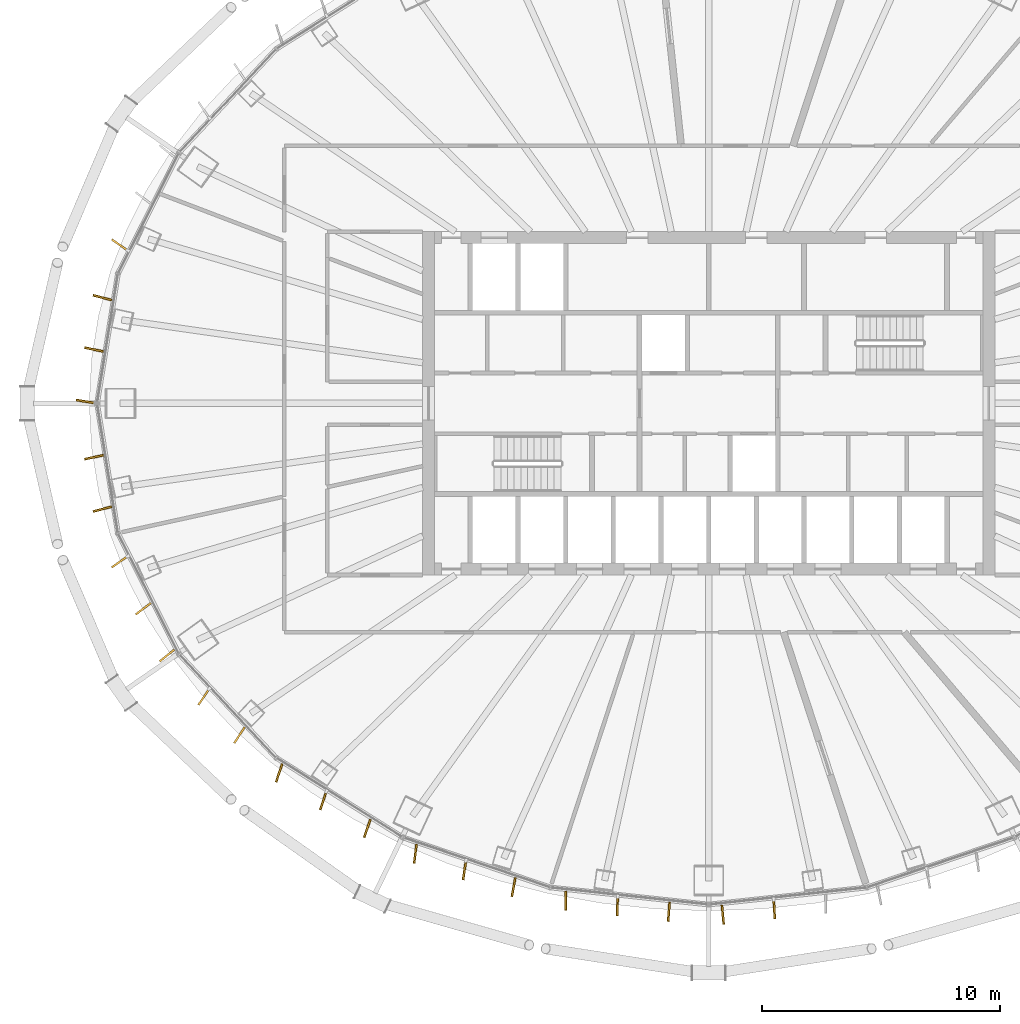
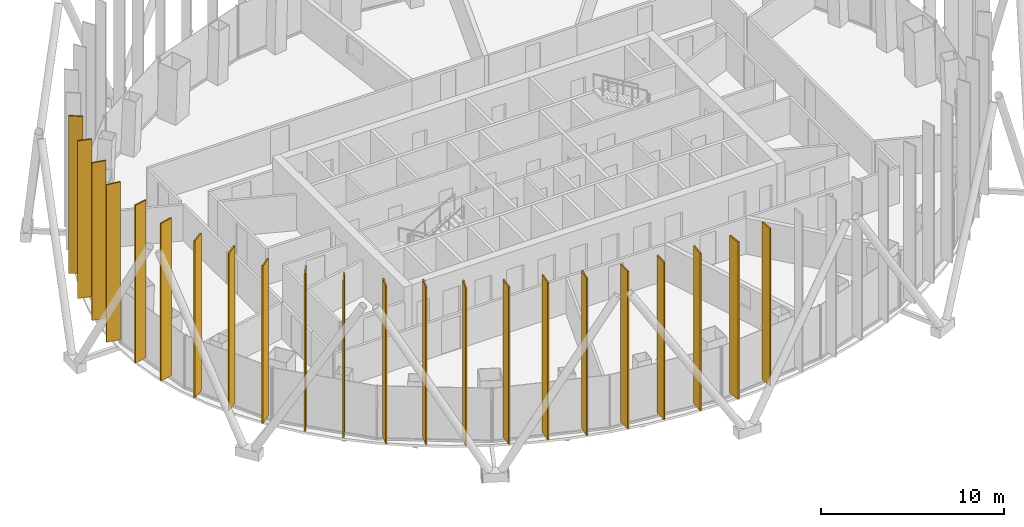
# One storey, part 17 of 20: 22 shading devices.
"""IFC4 building model written with IfcOpenShell, lengths in metres."""

import ifcopenshell
import ifcopenshell.guid

model = None  # the IFC model being written
_history = None  # IfcOwnerHistory: only IFC2X3 demands one
_inside = {}  # id of a spatial element -> (the spatial element, [elements in it])
_under = {}  # id of a project, library or spatial element -> (it, [spatial elements below it])
_declared = {}  # id of a project -> (the project, [libraries it declares])
_typed = {}  # id of a type object -> (the type object, [elements of that type])
_made_of = {}  # id of a material, layer set ... -> (it, [elements and type objects made of it])


def new_model(schema):
    """Start an empty IFC model of exactly this schema.

    Asked for "IFC4X3", IfcOpenShell would pick the latest addendum, in which some entities
    have other attributes; the version numbers below select the first issue.
    IFC2X3 requires an IfcOwnerHistory on every rooted entity: one is made here for all.
    """
    global model, _history
    if schema == "IFC4X3":
        model = ifcopenshell.file(schema_version=(4, 3, 0, 0))
    else:
        model = ifcopenshell.file(schema=schema)
    _inside.clear()
    _under.clear()
    _declared.clear()
    _typed.clear()
    _made_of.clear()
    _history = None
    if model.schema == "IFC2X3":
        org = make("IfcOrganization", Name="unknown")
        user = make(
            "IfcPersonAndOrganization",
            ThePerson=make("IfcPerson", FamilyName="unknown"),
            TheOrganization=org,
        )
        app = make(
            "IfcApplication",
            ApplicationDeveloper=org,
            Version="unknown",
            ApplicationFullName="unknown",
            ApplicationIdentifier="unknown",
        )
        _history = make(
            "IfcOwnerHistory",
            OwningUser=user,
            OwningApplication=app,
            ChangeAction="ADDED",
            CreationDate=0,
        )
    return model


def make(cls, **values):
    """One entity of the class cls with the attributes given. An attribute that is None is left unset."""
    return model.create_entity(
        cls, **{name: value for name, value in values.items() if value is not None}
    )


def rooted(cls, **values):
    """An entity with a GlobalId (a new one), such as an element, a storey or a relation."""
    return make(cls, GlobalId=ifcopenshell.guid.new(), OwnerHistory=_history, **values)


def si_unit(unit_type, name, prefix=None):
    """IfcSIUnit, for example si_unit("LENGTHUNIT", "METRE", prefix="MILLI")."""
    return make("IfcSIUnit", UnitType=unit_type, Prefix=prefix, Name=name)


def assignment(units):
    """IfcUnitAssignment: the units of a project."""
    return None if units is None else make("IfcUnitAssignment", Units=units)


def point(xyz):
    """IfcCartesianPoint."""
    return None if xyz is None else make("IfcCartesianPoint", Coordinates=xyz)


def direction(xyz):
    """IfcDirection."""
    return None if xyz is None else make("IfcDirection", DirectionRatios=xyz)


def frame(location, z_axis=None, x_axis=None):
    """IfcAxis2Placement3D, a coordinate frame: its origin and axes. An axis left out is left unset."""
    return make(
        "IfcAxis2Placement3D",
        Location=point(location),
        Axis=direction(z_axis),
        RefDirection=direction(x_axis),
    )


def frame_2d(location, x_axis=None):
    """IfcAxis2Placement2D, a coordinate frame in the plane: its origin and x axis."""
    return make(
        "IfcAxis2Placement2D", Location=point(location), RefDirection=direction(x_axis)
    )


def origin():
    """The frame at (0, 0, 0) with its axes left unset."""
    return frame((0.0, 0.0, 0.0))


def origin_2d():
    """The frame at (0, 0) in the plane with its x axis left unset."""
    return frame_2d((0.0, 0.0))


def place(relative_to, where):
    """IfcLocalPlacement: puts the frame where relative to a parent placement (None: the world)."""
    return make(
        "IfcLocalPlacement", PlacementRelTo=relative_to, RelativePlacement=where
    )


def context(
    kind, dimensions, precision=None, world=None, true_north=None, identifier=None
):
    """IfcGeometricRepresentationContext, for example the 3D "Model" context."""
    return make(
        "IfcGeometricRepresentationContext",
        ContextIdentifier=identifier,
        ContextType=kind,
        CoordinateSpaceDimension=dimensions,
        Precision=precision,
        WorldCoordinateSystem=world,
        TrueNorth=true_north,
    )


def subcontext(parent, identifier, kind, view, scale=None):
    """IfcGeometricRepresentationSubContext, for example "Body" below "Model"."""
    return make(
        "IfcGeometricRepresentationSubContext",
        ContextIdentifier=identifier,
        ContextType=kind,
        ParentContext=parent,
        TargetScale=scale,
        TargetView=view,
    )


def project(units=None, contexts=None):
    """IfcProject with its units and contexts."""
    return rooted(
        "IfcProject",
        Name="project",
        RepresentationContexts=contexts,
        UnitsInContext=assignment(units),
    )


def spatial(cls, under=None, at=None, **own):
    """A site, building, storey or space (cls), placed at a placement, below another one or the project."""
    s = rooted(cls, ObjectPlacement=at, **own)
    if under is not None:
        _under.setdefault(under.id(), (under, []))[1].append(s)
    return s


def profile(cls, at=None, kind="AREA", **sizes):
    """A parametric profile (cls). Its sizes go by their IFC names, for example OverallWidth=200.0."""
    return make(cls, ProfileType=kind, Position=at, **sizes)


def rectangle(**sizes):
    """IfcRectangleProfileDef."""
    return profile("IfcRectangleProfileDef", **sizes)


def extrude(swept, where, along, depth):
    """IfcExtrudedAreaSolid: the profile swept, set in the frame where, extruded along a direction by depth."""
    return make(
        "IfcExtrudedAreaSolid",
        SweptArea=swept,
        Position=where,
        ExtrudedDirection=direction(along),
        Depth=depth,
    )


def shape(context_of_items, identifier, shape_type, items):
    """IfcShapeRepresentation: the items that make up one representation, for example the "Body"."""
    return make(
        "IfcShapeRepresentation",
        ContextOfItems=context_of_items,
        RepresentationIdentifier=identifier,
        RepresentationType=shape_type,
        Items=items,
    )


def material(Name=None, Category=None):
    """IfcMaterial."""
    return make("IfcMaterial", Name=Name, Category=Category)


def layer(
    of_material, thickness, ventilated=None, Name=None, Category=None, Priority=None
):
    """IfcMaterialLayer: one layer of a wall or slab, of a material (None: an air gap)."""
    return make(
        "IfcMaterialLayer",
        Material=of_material,
        LayerThickness=thickness,
        IsVentilated=ventilated,
        Name=Name,
        Category=Category,
        Priority=Priority,
    )


def layer_set(layers, Name=None):
    """IfcMaterialLayerSet."""
    return make("IfcMaterialLayerSet", MaterialLayers=layers, LayerSetName=Name)


def made_of(thing, what):
    """Note that an element or type object is made of a material, layer set ...; save() writes the relation."""
    if what is not None:
        _made_of.setdefault(what.id(), (what, []))[1].append(thing)
    return thing


def type_object(cls, material=None, **own):
    """A type object (cls), such as IfcWallType, which elements share."""
    return made_of(rooted(cls, **own), material)


def element(
    cls,
    number,
    at=None,
    inside=None,
    cuts=None,
    type_object=None,
    material=None,
    context=None,
    identifier="Body",
    shape_type=None,
    held_by="IfcProductDefinitionShape",
    body=None,
    shapes=None,
    **own,
):
    """One element of the class cls, such as IfcWall. Its Tag is "e" and its number.

    at: its placement. inside: the storey or other place that contains it. cuts: it is an
    opening in that element (IfcRelVoidsElement). A single representation is given by context,
    identifier, shape_type and body (its items); several are given by shapes. held_by: the class
    of the entity that holds the representations. save() writes the other relations.
    """
    e = rooted(cls, Tag="e%d" % number, ObjectPlacement=at, **own)
    if body is not None:
        shapes = [shape(context, identifier, shape_type, body)]
    if shapes is not None:
        e.Representation = make(held_by, Representations=shapes)
    if inside is not None:
        _inside.setdefault(inside.id(), (inside, []))[1].append(e)
    if cuts is not None:
        rooted(
            "IfcRelVoidsElement", RelatingBuildingElement=cuts, RelatedOpeningElement=e
        )
    if type_object is not None:
        _typed.setdefault(type_object.id(), (type_object, []))[1].append(e)
    return made_of(e, material)


def aggregate(whole, parts):
    """IfcRelAggregates: a whole, such as a stair, and the parts it consists of."""
    return rooted("IfcRelAggregates", RelatingObject=whole, RelatedObjects=parts)


def save(model, path):
    """Write the relations noted so far, then the file.

    IfcRelAggregates (storeys below a building ...), IfcRelContainedInSpatialStructure (elements
    in a storey), IfcRelDefinesByType, IfcRelAssociatesMaterial and IfcRelDeclares: one each for
    every whole, place, type object, material and project.
    """
    for whole, parts in _under.values():
        aggregate(whole, parts)
    for where, things in _inside.values():
        rooted(
            "IfcRelContainedInSpatialStructure",
            RelatedElements=things,
            RelatingStructure=where,
        )
    for kind, things in _typed.values():
        rooted("IfcRelDefinesByType", RelatedObjects=things, RelatingType=kind)
    for what, things in _made_of.values():
        rooted("IfcRelAssociatesMaterial", RelatedObjects=things, RelatingMaterial=what)
    for by, libraries in _declared.values():
        rooted("IfcRelDeclares", RelatingContext=by, RelatedDefinitions=libraries)
    model.write(path)


model = new_model("IFC4")

# Units and contexts
model_context = context("Model", 3, precision=1e-05, world=origin(), true_north=direction((0.0, 1.0)))
body_context = subcontext(model_context, "Body", "Model", "MODEL_VIEW")
ifc_project = project(units=[si_unit("LENGTHUNIT", "METRE"), si_unit("AREAUNIT", "SQUARE_METRE"), si_unit("VOLUMEUNIT", "CUBIC_METRE"), si_unit("PLANEANGLEUNIT", "RADIAN"), si_unit("MASSUNIT", "GRAM", prefix="KILO")], contexts=[model_context])

# Site, building, storey
site_placement = place(None, origin())
site = spatial("IfcSite", under=ifc_project, at=site_placement, CompositionType="ELEMENT")
building_placement = place(site_placement, origin())
building = spatial("IfcBuilding", under=site, at=building_placement, Name="Siaravel Broadcast Tower", CompositionType="ELEMENT")
storey_placement = place(building_placement, frame((0.0, 0.0, 108.199951171875)))
storey = spatial("IfcBuildingStorey", under=building, at=storey_placement, Name="L25", CompositionType="ELEMENT", Elevation=108.199951171875)

# Shading devices
ifc_material = material(Name="Bronze anodised aluminium", Category="aluminium")
ifc_layer = layer(ifc_material, 0.080078125)
ifc_layer_set = layer_set([ifc_layer], Name="Bronze anodised aluminium")
shading_device_type = type_object("IfcShadingDeviceType", Name="Bronze fin zone 2", PredefinedType="USERDEFINED", material=ifc_layer_set)
for number, where, z_axis, x_axis, name in (
    (1, (-24.712890625, 6.64990234375, 0.300048828125), (0.0, 0.0, 1.0), (-0.819528274, 0.573038749, 0.0), "Bronze fin L25-31"),
    (2, (-25.4345703125, 4.436279296875, 0.300048828125), (0.0, 0.0, 1.0), (-0.966848797, 0.255349573, 0.0), "Bronze fin L25-32"),
    (3, (-25.7861328125, 2.25732421875, 0.300048828125), (0.0, 0.0, 1.0), (-0.978085869, 0.208201904, 0.0), "Bronze fin L25-33"),
    (4, (-26.13720703125, 0.077392578125, 0.300048828125), (0.0, 0.0, 1.0), (-0.987329198, 0.158685394, 0.0), "Bronze fin L25-34"),
    (5, (-25.7861328125, -2.25732421875, 0.300048828125), (0.0, 0.0, 1.0), (-0.978085869, -0.208201904, 0.0), "Bronze fin L25-35"),
    (6, (-25.4345703125, -4.436279296875, 0.300048828125), (0.0, 0.0, 1.0), (-0.966848797, -0.255349573, 0.0), "Bronze fin L25-36"),
    (7, (-24.712890625, -6.64990234375, 0.300048828125), (0.0, 0.0, 1.0), (-0.819528274, -0.573038749, 0.0), "Bronze fin L25-37"),
    (8, (-23.716796875, -8.6142578125, 0.300048828125), (0.0, 0.0, 1.0), (-0.797720772, -0.603027006, 0.0), "Bronze fin L25-38"),
    (9, (-22.722412109375, -10.575927734375, 0.300048828125), (0.0, 0.0, 1.0), (-0.779482303, -0.626424248, 0.0), "Bronze fin L25-39"),
    (10, (-21.182373046875, -12.317138671875, 0.300048828125), (0.0, 0.0, 1.0), (-0.555385918, -0.831592738, 0.0), "Bronze fin L25-40"),
    (11, (-19.6826171875, -13.91650390625, 0.300048828125), (0.0, 0.0, 1.0), (-0.545380946, -0.838188298, 0.0), "Bronze fin L25-41"),
    (12, (-18.0205078125, -15.505126953125, 0.300048828125), (0.0, 0.0, 1.0), (-0.311616909, -0.95020782, 0.0), "Bronze fin L25-42"),
    (13, (-16.170166015625, -16.668701171875, 0.300048828125), (0.0, 0.0, 1.0), (-0.316687223, -0.948530022, 0.0), "Bronze fin L25-43"),
    (14, (-14.32275390625, -17.831298828125, 0.300048828125), (0.0, 0.0, 1.0), (-0.329324821, -0.944216692, 0.0), "Bronze fin L25-44"),
    (15, (-12.305908203125, -18.89111328125, 0.300048828125), (0.0, 0.0, 1.0), (-0.121645871, -0.992573565, 0.0), "Bronze fin L25-45"),
    (16, (-10.244384765625, -19.5927734375, 0.300048828125), (0.0, 0.0, 1.0), (-0.147728281, -0.989027985, 0.0), "Bronze fin L25-46"),
    (17, (-8.18505859375, -20.293701171875, 0.300048828125), (0.0, 0.0, 1.0), (-0.179219479, -0.983809117, 0.0), "Bronze fin L25-47"),
    (18, (-5.989990234375, -20.865966796875, 0.300048828125), (0.0, 0.0, 1.0), (0.003658202, -0.999993309, 0.0), "Bronze fin L25-48"),
    (19, (-3.830078125, -21.100341796875, 0.300048828125), (0.0, 0.0, 1.0), (-0.035145437, -0.999382208, 0.0), "Bronze fin L25-49"),
    (20, (-1.67138671875, -21.333984375, 0.300048828125), (0.0, 0.0, 1.0), (-0.076153456, -0.997096109, 0.0), "Bronze fin L25-50"),
    (21, (0.592041015625, -21.45068359375, 0.300048828125), (0.0, 0.0, 1.0), (0.096893288, -0.995294776, 0.0), "Bronze fin L25-51"),
    (22, (2.750732421875, -21.21728515625, 0.300048828125), (0.0, 0.0, 1.0), (0.055490406, -0.99845922, 0.0), "Bronze fin L25-52"),
):
    element("IfcShadingDevice", number, at=place(storey_placement, frame(where, z_axis=z_axis, x_axis=x_axis)), inside=storey, type_object=shading_device_type, Name=name, ObjectType="FIN", PredefinedType="USERDEFINED", context=body_context, shape_type="SweptSolid", body=[
        extrude(rectangle(XDim=0.800048828125, YDim=0.080078125, at=origin_2d()), origin(), (0.0, 0.0, 1.0), 10.5),
    ])

save(model, "model.ifc")
